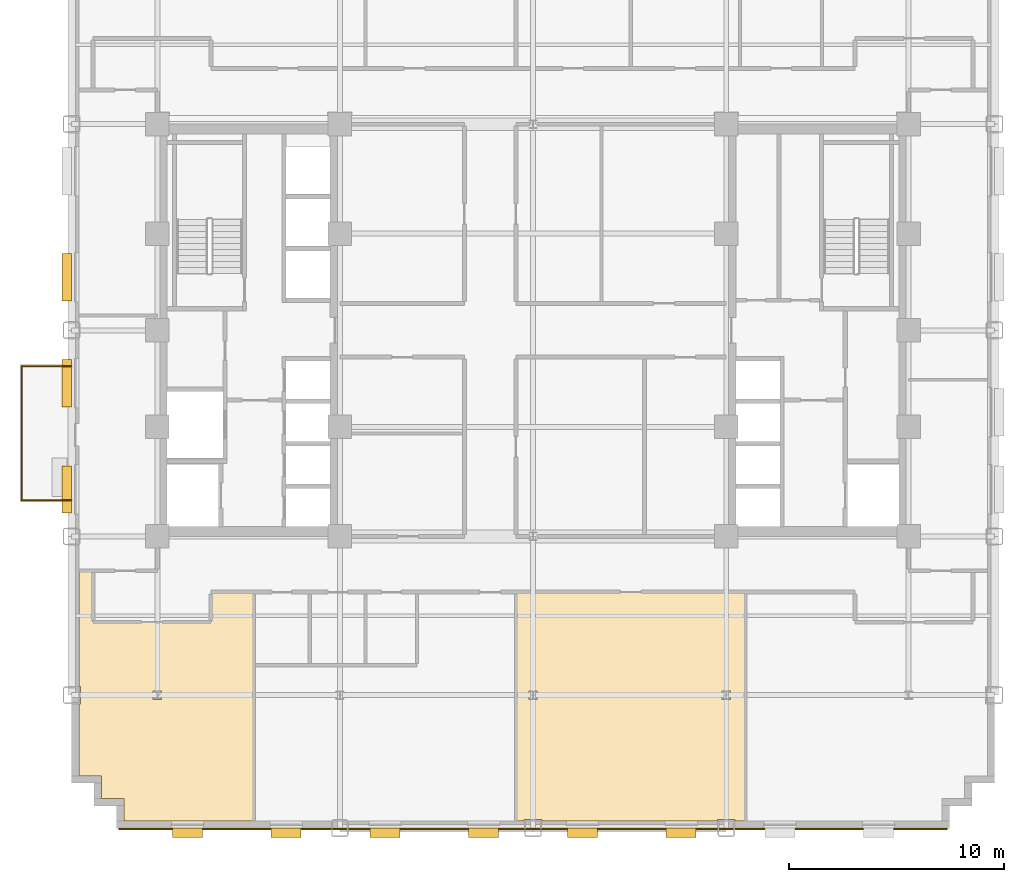
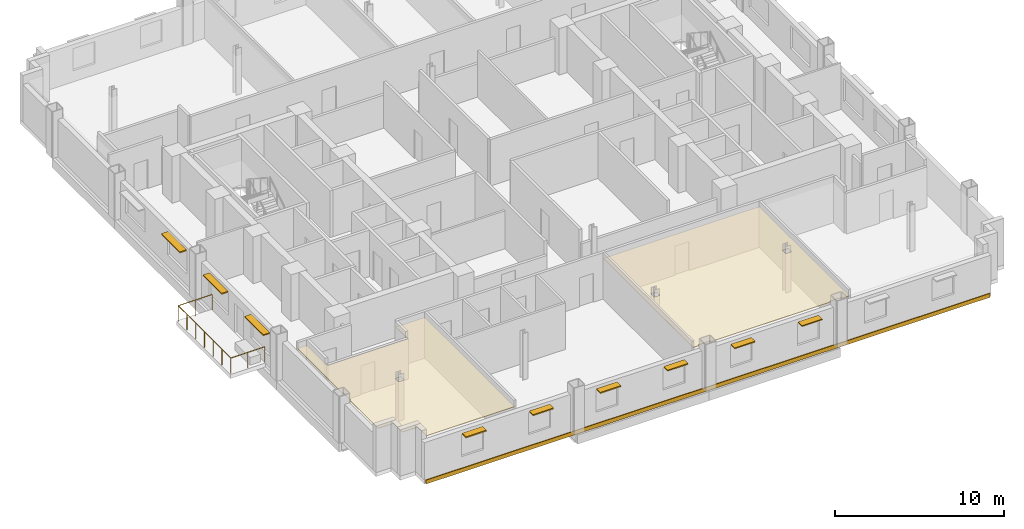
# One storey, part 10 of 13: 9 shading devices, 3 coverings, 1 railing.
"""IFC4 building model written with IfcOpenShell, lengths in metres."""

from ifc_helpers import new_model, si_unit, direction, frame, origin, origin_2d, place, context, subcontext, project, spatial, polyline, rectangle, circle, outline, extrude, source, transform, mapped, material, layer, layer_set, type_object, type_shapes, element, save


model = new_model("IFC4")

# Units and contexts
model_context = context("Model", 3, precision=1e-05, world=origin(), true_north=direction((0.0, 1.0)))
body_context = subcontext(model_context, "Body", "Model", "MODEL_VIEW")
ifc_project = project(units=[si_unit("LENGTHUNIT", "METRE"), si_unit("AREAUNIT", "SQUARE_METRE"), si_unit("VOLUMEUNIT", "CUBIC_METRE"), si_unit("PLANEANGLEUNIT", "RADIAN"), si_unit("MASSUNIT", "GRAM", prefix="KILO")], contexts=[model_context])

# Site, building, storey
site_placement = place(None, origin())
site = spatial("IfcSite", under=ifc_project, at=site_placement, CompositionType="ELEMENT")
building_placement = place(site_placement, origin())
building = spatial("IfcBuilding", under=site, at=building_placement, Name="Nuvemarco Arch Tower", CompositionType="ELEMENT")
storey_placement = place(building_placement, frame((0.0, 0.0, 78.699951171875)))
storey = spatial("IfcBuildingStorey", under=building, at=storey_placement, Name="L20", CompositionType="ELEMENT", Elevation=78.699951171875)

# Coverings
ifc_material_1 = material(Name="Mineral acoustic ceiling tile")
ifc_layer_1 = layer(ifc_material_1, 0.0400390625, Name="COV-ACOUSTIC-CLG")
ifc_layer_set_1 = layer_set([ifc_layer_1], Name="Mineral acoustic ceiling tile")
covering_type_1 = type_object("IfcCoveringType", Name="COV-ACOUSTIC-CLG", PredefinedType="CEILING", material=ifc_layer_set_1)
covering_1_placement = place(storey_placement, frame((0.0, 0.0, 2.85009765625)))
element("IfcCovering", 1, at=covering_1_placement, inside=storey, type_object=covering_type_1, Name="L20 suspended acoustic ceiling 2", PredefinedType="CEILING", context=body_context, shape_type="SweptSolid", body=[
    extrude(outline(polyline([(9.4150390625, -22.860107421875), (9.4150390625, -22.784912109375), (8.5849609375, -22.784912109375), (8.5849609375, -22.860107421875), (0.4150390625, -22.860107421875), (0.4150390625, -22.784912109375), (-0.4150390625, -22.784912109375), (-0.4150390625, -22.860107421875), (-0.800048828125, -22.860107421875), (-0.800048828125, -12.199951171875), (9.89990234375, -12.199951171875), (9.89990234375, -22.860107421875), (9.4150390625, -22.860107421875)]), holes=[polyline([(0.195068359375, -17.195068359375), (0.195068359375, -16.804931640625), (-0.195068359375, -16.804931640625), (-0.195068359375, -17.195068359375), (0.195068359375, -17.195068359375)]), polyline([(9.195068359375, -17.195068359375), (9.195068359375, -16.804931640625), (8.804931640625, -16.804931640625), (8.804931640625, -17.195068359375), (9.195068359375, -17.195068359375)])]), origin(), (0.0, 0.0, 1.0), 0.0400390625),
])
covering_2_placement = place(storey_placement, frame((0.0, 0.0, 2.85009765625)))
element("IfcCovering", 2, at=covering_2_placement, inside=storey, type_object=covering_type_1, Name="L20 suspended acoustic ceiling 4", PredefinedType="CEILING", context=body_context, shape_type="SweptSolid", body=[
    extrude(outline(polyline([(-21.159912109375, -20.760009765625), (-21.159912109375, -17.4150390625), (-21.0849609375, -17.4150390625), (-21.0849609375, -16.5849609375), (-21.159912109375, -16.5849609375), (-21.159912109375, -11.199951171875), (-20.5, -11.199951171875), (-20.5, -13.60009765625), (-15.0, -13.60009765625), (-15.0, -12.199951171875), (-13.0, -12.199951171875), (-13.0, -15.60009765625), (-13.0, -22.860107421875), (-19.06005859375, -22.860107421875), (-19.06005859375, -21.81005859375), (-20.110107421875, -21.81005859375), (-20.110107421875, -20.760009765625), (-21.159912109375, -20.760009765625)]), holes=[polyline([(-17.304931640625, -16.804931640625), (-17.695068359375, -16.804931640625), (-17.695068359375, -17.195068359375), (-17.304931640625, -17.195068359375), (-17.304931640625, -16.804931640625)])]), origin(), (0.0, 0.0, 1.0), 0.0400390625),
])

# Railing
ifc_material_2 = material(Name="Dark anodised balustrade steel S355", Category="steel")
railing_type = type_object("IfcRailingType", Name="RL-TERR-GUARD", PredefinedType="BALUSTRADE", material=ifc_material_2)
railing_placement = place(storey_placement, frame((-21.5, -7.919921875, 0.0)))
element("IfcRailing", 3, at=railing_placement, inside=storey, type_object=railing_type, Name="L20 spiral terrace perimeter balustrade guard", PredefinedType="BALUSTRADE", context=body_context, shape_type="SweptSolid", body=[
    extrude(circle(Radius=0.02392578125, at=origin_2d()), frame((0.0, 0.0, 1.1259765625), z_axis=(-1.0, 0.0, 0.0), x_axis=(0.0, -1.0, 0.0)), (0.0, 0.0, 1.0), 2.320068359375),
    extrude(circle(Radius=0.02392578125, at=origin_2d()), frame((-2.320068359375, 0.0, 1.1259765625), z_axis=(0.0, 1.0, 0.0), x_axis=(-1.0, 0.0, 0.0)), (0.0, 0.0, 1.0), 6.239990234375),
    extrude(circle(Radius=0.02392578125, at=origin_2d()), frame((-2.320068359375, 6.239990234375, 1.1259765625), z_axis=(1.0, 0.0, 0.0), x_axis=(0.0, 1.0, 0.0)), (0.0, 0.0, 1.0), 2.320068359375),
    extrude(circle(Radius=0.02099609375, at=origin_2d()), origin(), (0.0, 0.0, 1.0), 1.101806640625),
    extrude(circle(Radius=0.02099609375, at=origin_2d()), frame((-1.16015625, 0.0, 0.0)), (0.0, 0.0, 1.0), 1.101806640625),
    extrude(circle(Radius=0.02099609375, at=origin_2d()), frame((-2.320068359375, 0.0, 0.0)), (0.0, 0.0, 1.0), 1.101806640625),
    extrude(circle(Radius=0.02099609375, at=origin_2d()), frame((-2.320068359375, 1.0400390625, 0.0)), (0.0, 0.0, 1.0), 1.101806640625),
    extrude(circle(Radius=0.02099609375, at=origin_2d()), frame((-2.320068359375, 2.080078125, 0.0)), (0.0, 0.0, 1.0), 1.101806640625),
    extrude(circle(Radius=0.02099609375, at=origin_2d()), frame((-2.320068359375, 3.1201171875, 0.0)), (0.0, 0.0, 1.0), 1.101806640625),
    extrude(circle(Radius=0.02099609375, at=origin_2d()), frame((-2.320068359375, 4.159912109375, 0.0)), (0.0, 0.0, 1.0), 1.101806640625),
    extrude(circle(Radius=0.02099609375, at=origin_2d()), frame((-2.320068359375, 5.199951171875, 0.0)), (0.0, 0.0, 1.0), 1.101806640625),
    extrude(circle(Radius=0.02099609375, at=origin_2d()), frame((-2.320068359375, 6.239990234375, 0.0)), (0.0, 0.0, 1.0), 1.101806640625),
    extrude(circle(Radius=0.02099609375, at=origin_2d()), frame((-1.16015625, 6.239990234375, 0.0)), (0.0, 0.0, 1.0), 1.101806640625),
    extrude(circle(Radius=0.02099609375, at=origin_2d()), frame((0.0, 6.239990234375, 0.0)), (0.0, 0.0, 1.0), 1.101806640625),
])

# Shading devices
ifc_material_3 = material(Name="Anodised aluminium 6063-T6", Category="aluminium")
shading_device_type_1 = type_object("IfcShadingDeviceType", Name="SHD-BRISE-SOLEIL", PredefinedType="USERDEFINED", material=ifc_material_3)
shared_shape_1 = source(origin(), body_context, "Body", "SweptSolid", [
    extrude(rectangle(XDim=2.199951171875, YDim=0.449951171875, at=origin_2d()), origin(), (0.0, 0.0, 1.0), 0.080078125),
])
type_shapes(shading_device_type_1, [shared_shape_1])
for number, where, z_axis, x_axis, name in (
    (4, (-21.715087890625, -7.41162109375, 2.425048828125), (0.0, 0.0, 1.0), (0.0, 1.0, 0.0), "L20 horizontal brise-soleil sunshade"),
    (5, (-21.715087890625, -2.470458984375, 2.425048828125), (0.0, 0.0, 1.0), (0.0, 1.0, 0.0), "L20 horizontal brise-soleil sunshade"),
    (6, (-21.715087890625, 2.470458984375, 2.425048828125), (0.0, 0.0, 1.0), (0.0, 1.0, 0.0), "L20 horizontal brise-soleil sunshade"),
):
    element("IfcShadingDevice", number, at=place(storey_placement, frame(where, z_axis=z_axis, x_axis=x_axis)), inside=storey, type_object=shading_device_type_1, Name=name, ObjectType="SUNSHADE", PredefinedType="USERDEFINED", context=body_context, shape_type="MappedRepresentation", body=[
        mapped(shared_shape_1, transform((0.0, 0.0, 0.0), scale=1.0)),
    ])
shading_device_type_2 = type_object("IfcShadingDeviceType", Name="SHD-BRISE-NARROW", PredefinedType="USERDEFINED", material=ifc_material_3)
shared_shape_2 = source(origin(), body_context, "Body", "SweptSolid", [
    extrude(rectangle(XDim=1.39990234375, YDim=0.449951171875, at=origin_2d()), origin(), (0.0, 0.0, 1.0), 0.080078125),
])
type_shapes(shading_device_type_2, [shared_shape_2])
for number, where, z_axis, x_axis, name in (
    (7, (-16.10009765625, -23.4150390625, 2.405029296875), (0.0, 0.0, 1.0), (1.0, 0.0, 0.0), "L20 horizontal brise-soleil sunshade"),
    (8, (-11.5, -23.4150390625, 2.405029296875), (0.0, 0.0, 1.0), (1.0, 0.0, 0.0), "L20 horizontal brise-soleil sunshade"),
    (9, (-6.89990234375, -23.4150390625, 2.405029296875), (0.0, 0.0, 1.0), (1.0, 0.0, 0.0), "L20 horizontal brise-soleil sunshade"),
    (10, (-2.300048828125, -23.4150390625, 2.405029296875), (0.0, 0.0, 1.0), (1.0, 0.0, 0.0), "L20 horizontal brise-soleil sunshade"),
    (11, (2.300048828125, -23.4150390625, 2.405029296875), (0.0, 0.0, 1.0), (1.0, 0.0, 0.0), "L20 horizontal brise-soleil sunshade"),
    (12, (6.89990234375, -23.4150390625, 2.405029296875), (0.0, 0.0, 1.0), (1.0, 0.0, 0.0), "L20 horizontal brise-soleil sunshade"),
):
    element("IfcShadingDevice", number, at=place(storey_placement, frame(where, z_axis=z_axis, x_axis=x_axis)), inside=storey, type_object=shading_device_type_2, Name=name, ObjectType="SUNSHADE", PredefinedType="USERDEFINED", context=body_context, shape_type="MappedRepresentation", body=[
        mapped(shared_shape_2, transform((0.0, 0.0, 0.0), scale=1.0)),
    ])

# Covering
ifc_material_4 = material(Name="Precast concrete C45/55", Category="concrete")
ifc_layer_2 = layer(ifc_material_4, 0.06005859375, Name="COV-SPANDREL-CLAD")
ifc_layer_set_2 = layer_set([ifc_layer_2], Name="Precast concrete C45/55")
covering_type_2 = type_object("IfcCoveringType", Name="COV-SPANDREL-CLAD", PredefinedType="CLADDING", material=ifc_layer_set_2)
shared_shape_3 = source(origin(), body_context, "Body", "SweptSolid", [
    extrude(rectangle(XDim=38.60009765625, YDim=0.06005859375, at=origin_2d()), origin(), (0.0, 0.0, 1.0), 0.280029296875),
])
type_shapes(covering_type_2, [shared_shape_3])
covering_3_placement = place(storey_placement, frame((0.0, -23.22900390625, -0.27978515625), z_axis=(0.0, 0.0, 1.0), x_axis=(1.0, 0.0, 0.0)))
element("IfcCovering", 13, at=covering_3_placement, inside=storey, type_object=covering_type_2, Name="L20 precast spandrel edge cladding south", PredefinedType="CLADDING", context=body_context, shape_type="MappedRepresentation", body=[
    mapped(shared_shape_3, transform((0.0, 0.0, 0.0), scale=1.0)),
])

save(model, "model.ifc")
